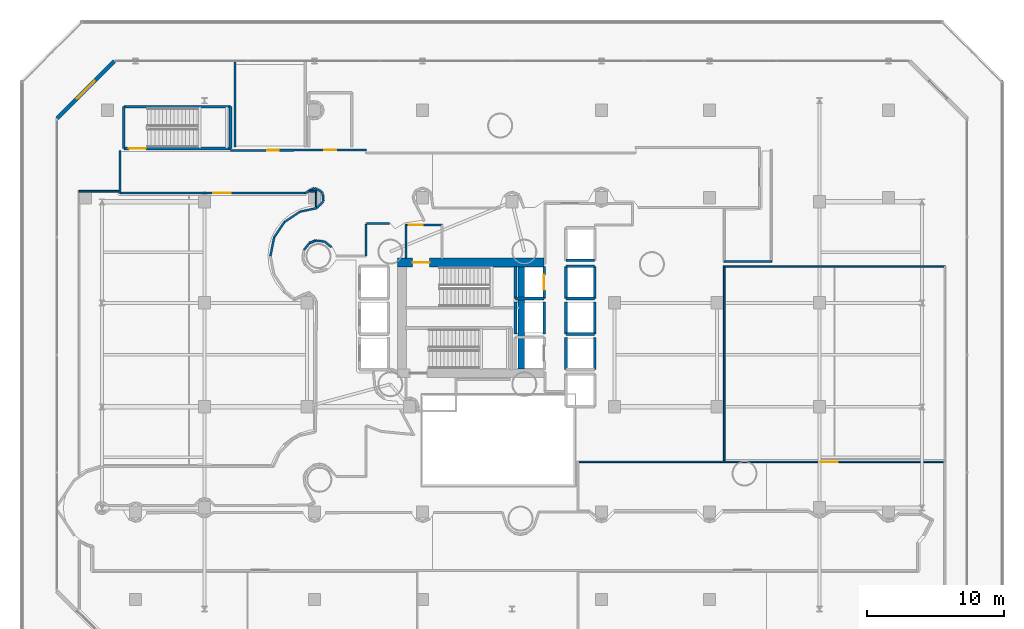
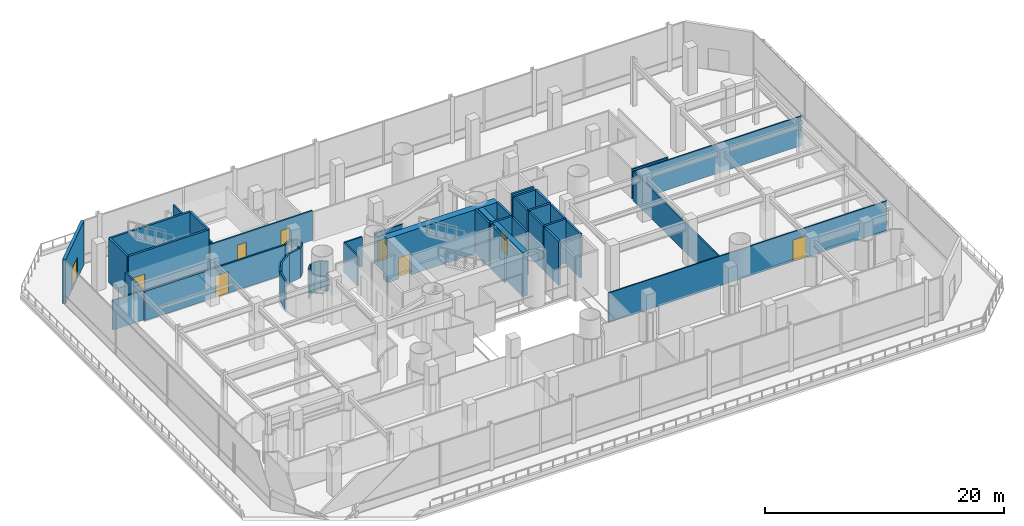
# One storey, part 28 of 39: 49 walls, 9 doors, 9 openings.
"""IFC4 building model written with IfcOpenShell, lengths in metres."""

from ifc_helpers import new_model, si_unit, direction, frame, frame_2d, origin, place, context, subcontext, project, spatial, rectangle, extrude, material, layer, layer_set, type_object, element, fill, save


model = new_model("IFC4")

# Units and contexts
model_context = context("Model", 3, precision=1e-05, world=origin(), true_north=direction((0.0, 1.0)))
body_context = subcontext(model_context, "Body", "Model", "MODEL_VIEW")
ifc_project = project(units=[si_unit("LENGTHUNIT", "METRE"), si_unit("AREAUNIT", "SQUARE_METRE"), si_unit("VOLUMEUNIT", "CUBIC_METRE"), si_unit("PLANEANGLEUNIT", "RADIAN"), si_unit("MASSUNIT", "GRAM", prefix="KILO")], contexts=[model_context])

# Site, building, storey
site_placement = place(None, origin())
site = spatial("IfcSite", under=ifc_project, at=site_placement, CompositionType="ELEMENT")
building_placement = place(site_placement, origin())
building = spatial("IfcBuilding", under=site, at=building_placement, Name="Qianvela Tower", CompositionType="ELEMENT")
storey_placement = place(building_placement, frame((0.0, 0.0, 15.800048828125)))
storey = spatial("IfcBuildingStorey", under=building, at=storey_placement, Name="L03", CompositionType="ELEMENT", Elevation=15.800048828125)

# Wall, opening, door
ifc_material_1 = material(Name="Terracotta Cladding on Concrete C40", Category="masonry")
ifc_layer_1 = layer(ifc_material_1, 0.280029296875)
ifc_layer_set_1 = layer_set([ifc_layer_1], Name="Terracotta Cladding on Concrete C40")
wall_type_1 = type_object("IfcWallType", Name="TERRACOTTA-WALL-280", PredefinedType="SOLIDWALL", material=ifc_layer_set_1)
wall_1_placement = place(storey_placement, frame((8.39990234375, 47.5, 0.0), z_axis=(0.0, 0.0, 1.0), x_axis=(-0.707106781187, -0.707106781187, 0.0)))
wall_1 = element("IfcWall", 1, at=wall_1_placement, inside=storey, type_object=wall_type_1, Name="L03 Terracotta Corner Wall 6", PredefinedType="SOLIDWALL", context=body_context, shape_type="SweptSolid", body=[
    extrude(rectangle(XDim=5.939697265625, YDim=0.280029296875, at=frame_2d((2.9697265625, 0.0))), origin(), (0.0, 0.0, 1.0), 4.5),
])
opening_1_placement = place(wall_1_placement, frame((2.06982421875, 0.0, 0.0)))
opening_1 = element("IfcOpeningElement", 2, at=opening_1_placement, cuts=wall_1, Name="Opening ED-02", PredefinedType="OPENING", context=body_context, shape_type="SweptSolid", body=[
    extrude(rectangle(XDim=1.800048828125, YDim=2.199951171875, at=frame_2d((0.89990234375, 1.10009765625))), frame((0.0, 0.14990234375, 0.0), z_axis=(0.0, -1.0, 0.0), x_axis=(1.0, 0.0, 0.0)), (0.0, 0.0, 1.0), 0.300048828125),
])
ifc_material_2 = material(Name="Thermally Broken Anodised Aluminium and Low-E Glass", Category="aluminium")
door_type_1 = type_object("IfcDoorType", Name="DT-EXT-TERR-1800", OperationType="DOUBLE_DOOR_SINGLE_SWING", PredefinedType="DOOR", material=ifc_material_2)
door_1_placement = place(opening_1_placement, origin())
door_1 = element("IfcDoor", 3, at=door_1_placement, inside=storey, type_object=door_type_1, Name="L03 Terrace Access Door 6", OperationType="DOUBLE_DOOR_SINGLE_SWING", OverallHeight=2.199951171875, OverallWidth=1.800048828125, PredefinedType="DOOR", context=body_context, shape_type="SweptSolid", body=[
    extrude(rectangle(XDim=1.800048828125, YDim=2.199951171875, at=frame_2d((0.89990234375, 1.10009765625))), frame((0.0, 0.02490234375, 0.0), z_axis=(0.0, -1.0, 0.0), x_axis=(1.0, 0.0, 0.0)), (0.0, 0.0, 1.0), 0.050048828125),
])
fill(opening_1, door_1)

ifc_material_3 = material(Name="Concrete C60", Category="concrete")
ifc_layer_2 = layer(ifc_material_3, 0.64990234375)
ifc_layer_set_2 = layer_set([ifc_layer_2], Name="Concrete C60")
wall_type_2 = type_object("IfcWallType", Name="WT-CORE-650", PredefinedType="SHEAR", material=ifc_layer_set_2)
wall_2_placement = place(storey_placement, frame((29.1298828125, 32.7451171875, 0.0), z_axis=(0.0, 0.0, 1.0), x_axis=(1.0, 0.0, 0.0)))
wall_2 = element("IfcWall", 4, at=wall_2_placement, inside=storey, type_object=wall_type_2, Name="L03 North Core Shear Wall", PredefinedType="SHEAR", context=body_context, shape_type="SweptSolid", body=[
    extrude(rectangle(XDim=10.72021484375, YDim=0.64990234375, at=frame_2d((5.360107421875, 0.0))), origin(), (0.0, 0.0, 1.0), 4.5),
])
opening_2_placement = place(wall_2_placement, frame((1.094970703125, 0.0, 0.0)))
opening_2 = element("IfcOpeningElement", 5, at=opening_2_placement, cuts=wall_2, Name="Opening D-ST1", PredefinedType="OPENING", context=body_context, shape_type="SweptSolid", body=[
    extrude(rectangle(XDim=1.25, YDim=2.14990234375, at=frame_2d((0.625, 1.074951171875))), frame((0.0, 0.3349609375, 0.0), z_axis=(0.0, -1.0, 0.0), x_axis=(1.0, 0.0, 0.0)), (0.0, 0.0, 1.0), 0.669921875),
])
ifc_material_4 = material(Name="Galvanised Fire Steel Q355B", Category="steel")
door_type_2 = type_object("IfcDoorType", Name="DT-STAIR-FD90", OperationType="NOTDEFINED", PredefinedType="DOOR", material=ifc_material_4)
door_2_placement = place(opening_2_placement, origin())
door_2 = element("IfcDoor", 6, at=door_2_placement, inside=storey, type_object=door_type_2, Name="L03 Stair ST-1 Exit Door", OperationType="SINGLE_SWING_RIGHT", OverallHeight=2.14990234375, OverallWidth=1.25, PredefinedType="DOOR", context=body_context, shape_type="SweptSolid", body=[
    extrude(rectangle(XDim=1.25, YDim=2.14990234375, at=frame_2d((0.625, 1.074951171875))), frame((0.0, 0.02490234375, 0.0), z_axis=(0.0, -1.0, 0.0), x_axis=(1.0, 0.0, 0.0)), (0.0, 0.0, 1.0), 0.050048828125),
])
fill(opening_2, door_2)

# Walls
wall_3_placement = place(storey_placement, frame((38.179931640625, 24.97998046875, 0.0), z_axis=(0.0, 0.0, 1.0), x_axis=(0.0, 1.0, 0.0)))
element("IfcWall", 7, at=wall_3_placement, inside=storey, type_object=wall_type_2, Name="L03 East Spine Core Shear Wall", PredefinedType="SHEAR", context=body_context, shape_type="SweptSolid", body=[
    extrude(rectangle(XDim=7.43994140625, YDim=0.5, at=frame_2d((3.719970703125, 0.0))), origin(), (0.0, 0.0, 1.0), 4.5),
])
ifc_material_5 = material(Name="Fire-Rated Acoustic Gypsum Board")
ifc_layer_3 = layer(ifc_material_5, 0.14990234375)
ifc_layer_set_3 = layer_set([ifc_layer_3], Name="Fire-Rated Acoustic Gypsum Board")
wall_type_3 = type_object("IfcWallType", Name="WT-CORR-150", PredefinedType="PARTITIONING", material=ifc_layer_set_3)
wall_4_placement = place(storey_placement, frame((29.73095703125, 33.05810546875, 0.0), z_axis=(0.0, 0.0, 1.0), x_axis=(0.0, 1.0, 0.0)))
element("IfcWall", 8, at=wall_4_placement, inside=storey, type_object=wall_type_3, Name="L03 Partition 2", PredefinedType="PARTITIONING", context=body_context, shape_type="SweptSolid", body=[
    extrude(rectangle(XDim=2.4619140625, YDim=0.14990234375, at=frame_2d((1.23095703125, 0.0))), origin(), (0.0, 0.0, 1.0), 3.02001953125),
])

# Wall, opening, door
wall_5_placement = place(storey_placement, frame((29.699951171875, 35.489013671875, 0.0), z_axis=(0.0, 0.0, 1.0), x_axis=(1.0, 0.0, 0.0)))
wall_5 = element("IfcWall", 9, at=wall_5_placement, inside=storey, type_object=wall_type_3, Name="L03 Partition 3", PredefinedType="PARTITIONING", context=body_context, shape_type="SweptSolid", body=[
    extrude(rectangle(XDim=2.719970703125, YDim=0.14990234375, at=frame_2d((1.35986328125, 0.0))), origin(), (0.0, 0.0, 1.0), 3.02001953125),
])
opening_3_placement = place(wall_5_placement, frame((0.22998046875, 0.0, 0.0)))
opening_3 = element("IfcOpeningElement", 10, at=opening_3_placement, cuts=wall_5, Name="Opening D-PL1", PredefinedType="OPENING", context=body_context, shape_type="SweptSolid", body=[
    extrude(rectangle(XDim=1.050048828125, YDim=2.14990234375, at=frame_2d((0.52490234375, 1.074951171875))), frame((0.0, 0.0849609375, 0.0), z_axis=(0.0, -1.0, 0.0), x_axis=(1.0, 0.0, 0.0)), (0.0, 0.0, 1.0), 0.169921875),
])
ifc_material_6 = material(Name="Insulated Steel Fire Door Q355B", Category="steel")
door_type_3 = type_object("IfcDoorType", Name="DT-PLANT-FD90", OperationType="NOTDEFINED", PredefinedType="DOOR", material=ifc_material_6)
door_3_placement = place(opening_3_placement, origin())
door_3 = element("IfcDoor", 11, at=door_3_placement, inside=storey, type_object=door_type_3, Name="L03 Door L03 Firefighting Lobby North to L03 Concourse Gallery Corridor", OperationType="SINGLE_SWING_RIGHT", OverallHeight=2.14990234375, OverallWidth=1.050048828125, PredefinedType="DOOR", context=body_context, shape_type="SweptSolid", body=[
    extrude(rectangle(XDim=1.050048828125, YDim=2.14990234375, at=frame_2d((0.52490234375, 1.074951171875))), frame((0.0, 0.02490234375, 0.0), z_axis=(0.0, -1.0, 0.0), x_axis=(1.0, 0.0, 0.0)), (0.0, 0.0, 1.0), 0.050048828125),
])
fill(opening_3, door_3)

# Walls
wall_6_placement = place(storey_placement, frame((19.818359375, 33.221923828125, 0.0), z_axis=(0.0, 0.0, 1.0), x_axis=(0.195099252282, 0.980783504021, 0.0)))
element("IfcWall", 12, at=wall_6_placement, inside=storey, type_object=wall_type_3, Name="L03 Partition 105", PredefinedType="PARTITIONING", context=body_context, shape_type="SweptSolid", body=[
    extrude(rectangle(XDim=1.38525390625, YDim=0.14990234375, at=frame_2d((0.692626953125, 0.0))), origin(), (0.0, 0.0, 1.0), 3.02001953125),
])
for number, where, z_axis, x_axis, name in (
    (13, (20.083984375, 34.5693359375, 0.0), (0.0, 0.0, 1.0), (0.555594771308, 0.831453215819, 0.0), "L03 Partition 106"),
    (14, (20.844970703125, 35.71240234375, 0.0), (0.0, 0.0, 1.0), (0.831453215819, 0.555594771308, 0.0), "L03 Partition 107"),
):
    element("IfcWall", number, at=place(storey_placement, frame(where, z_axis=z_axis, x_axis=x_axis)), inside=storey, type_object=wall_type_3, Name=name, PredefinedType="PARTITIONING", context=body_context, shape_type="SweptSolid", body=[
        extrude(rectangle(XDim=1.385009765625, YDim=0.14990234375, at=frame_2d((0.6923828125, 0.0))), origin(), (0.0, 0.0, 1.0), 3.02001953125),
    ])
wall_7_placement = place(storey_placement, frame((21.98583984375, 36.477294921875, 0.0), z_axis=(0.0, 0.0, 1.0), x_axis=(0.978580947187, 0.205862405023, 0.0)))
element("IfcWall", 15, at=wall_7_placement, inside=storey, type_object=wall_type_3, Name="L03 Partition 108", PredefinedType="PARTITIONING", context=body_context, shape_type="SweptSolid", body=[
    extrude(rectangle(XDim=1.246337890625, YDim=0.14990234375, at=frame_2d((0.623046875, 0.0))), origin(), (0.0, 0.0, 1.0), 3.02001953125),
])
wall_8_placement = place(storey_placement, frame((23.221435546875, 36.742919921875, 0.0), z_axis=(0.0, 0.0, 1.0), x_axis=(0.696042953303, 0.718000144259, 0.0)))
element("IfcWall", 16, at=wall_8_placement, inside=storey, type_object=wall_type_3, Name="L03 Partition 109", PredefinedType="PARTITIONING", context=body_context, shape_type="SweptSolid", body=[
    extrude(rectangle(XDim=0.667236328125, YDim=0.14990234375, at=frame_2d((0.33349609375, 0.0))), origin(), (0.0, 0.0, 1.0), 3.02001953125),
])
for number, where, z_axis, x_axis, name in (
    (17, (23.694580078125, 37.24658203125, 0.0), (0.0, 0.0, 1.0), (-0.098164363006, 0.995170215509, 0.0), "L03 Partition 110"),
    (18, (23.6162109375, 37.899658203125, 0.0), (0.0, 0.0, 1.0), (-0.882042462076, 0.471169921679, 0.0), "L03 Partition 111"),
):
    element("IfcWall", number, at=place(storey_placement, frame(where, z_axis=z_axis, x_axis=x_axis)), inside=storey, type_object=wall_type_3, Name=name, PredefinedType="PARTITIONING", context=body_context, shape_type="SweptSolid", body=[
        extrude(rectangle(XDim=0.631591796875, YDim=0.14990234375, at=frame_2d((0.31591796875, 0.0))), origin(), (0.0, 0.0, 1.0), 3.02001953125),
    ])
wall_9_placement = place(storey_placement, frame((23.02978515625, 38.197265625, 0.0), z_axis=(0.0, 0.0, 1.0), x_axis=(-0.880007613405, -0.474959577595, 0.0)))
element("IfcWall", 19, at=wall_9_placement, inside=storey, type_object=wall_type_3, Name="L03 Partition 112", PredefinedType="PARTITIONING", context=body_context, shape_type="SweptSolid", body=[
    extrude(rectangle(XDim=0.77880859375, YDim=0.14990234375, at=frame_2d((0.389404296875, 0.0))), origin(), (0.0, 0.0, 1.0), 3.02001953125),
])

# Wall, opening, door
wall_10_placement = place(storey_placement, frame((22.359130859375, 37.8310546875, 0.0), z_axis=(0.0, 0.0, 1.0), x_axis=(-1.0, 0.0, 0.0)))
wall_10 = element("IfcWall", 20, at=wall_10_placement, inside=storey, type_object=wall_type_3, Name="L03 Partition 113", PredefinedType="PARTITIONING", context=body_context, shape_type="SweptSolid", body=[
    extrude(rectangle(XDim=13.55908203125, YDim=0.14990234375, at=frame_2d((6.779541015625, 0.0))), origin(), (0.0, 0.0, 1.0), 3.02001953125),
])
opening_4_placement = place(wall_10_placement, frame((5.45458984375, 0.0, 0.0)))
opening_4 = element("IfcOpeningElement", 21, at=opening_4_placement, cuts=wall_10, Name="Opening D-LG1", PredefinedType="OPENING", context=body_context, shape_type="SweptSolid", body=[
    extrude(rectangle(XDim=1.25, YDim=2.199951171875, at=frame_2d((0.625, 1.10009765625))), frame((0.0, 0.0849609375, 0.0), z_axis=(0.0, -1.0, 0.0), x_axis=(1.0, 0.0, 0.0)), (0.0, 0.0, 1.0), 0.169921875),
])
ifc_material_7 = material(Name="Anodised Aluminium Acoustic Glass Door", Category="aluminium")
door_type_4 = type_object("IfcDoorType", Name="DT-LOUNGE-1250", OperationType="NOTDEFINED", PredefinedType="DOOR", material=ifc_material_7)
door_4_placement = place(opening_4_placement, origin())
door_4 = element("IfcDoor", 22, at=door_4_placement, inside=storey, type_object=door_type_4, Name="L03 Door L03 Student Tea Pantry and Study Lounge to L03 Concourse Gallery Corridor", OperationType="SINGLE_SWING_RIGHT", OverallHeight=2.199951171875, OverallWidth=1.25, PredefinedType="DOOR", context=body_context, shape_type="SweptSolid", body=[
    extrude(rectangle(XDim=1.25, YDim=2.199951171875, at=frame_2d((0.625, 1.10009765625))), frame((0.0, 0.02490234375, 0.0), z_axis=(0.0, -1.0, 0.0), x_axis=(1.0, 0.0, 0.0)), (0.0, 0.0, 1.0), 0.050048828125),
])
fill(opening_4, door_4)

# Wall
wall_11_placement = place(storey_placement, frame((8.8310546875, 37.800048828125, 0.0), z_axis=(0.0, 0.0, 1.0), x_axis=(0.0, 1.0, 0.0)))
element("IfcWall", 23, at=wall_11_placement, inside=storey, type_object=wall_type_3, Name="L03 Partition 114", PredefinedType="PARTITIONING", context=body_context, shape_type="SweptSolid", body=[
    extrude(rectangle(XDim=3.159912109375, YDim=0.14990234375, at=frame_2d((1.580078125, 0.0))), origin(), (0.0, 0.0, 1.0), 3.02001953125),
])

# Wall, openings, doors
wall_12_placement = place(storey_placement, frame((16.89990234375, 40.955810546875, 0.0), z_axis=(0.0, 0.0, 1.0), x_axis=(0.999994432489, 0.003336913407, 0.0)))
wall_12 = element("IfcWall", 24, at=wall_12_placement, inside=storey, type_object=wall_type_3, Name="L03 Partition 115 seg 2", PredefinedType="PARTITIONING", context=body_context, shape_type="SweptSolid", body=[
    extrude(rectangle(XDim=9.9501953125, YDim=0.14990234375, at=frame_2d((4.97509765625, 0.0))), origin(), (0.0, 0.0, 1.0), 3.02001953125),
])
opening_5_placement = place(wall_12_placement, frame((6.87255859375, 0.0, 0.0)))
opening_5 = element("IfcOpeningElement", 25, at=opening_5_placement, cuts=wall_12, Name="Opening D-WC1", PredefinedType="OPENING", context=body_context, shape_type="SweptSolid", body=[
    extrude(rectangle(XDim=0.860107421875, YDim=2.050048828125, at=frame_2d((0.43017578125, 1.02490234375))), frame((0.0, 0.0849609375, 0.0), z_axis=(0.0, -1.0, 0.0), x_axis=(1.0, 0.0, 0.0)), (0.0, 0.0, 1.0), 0.169921875),
])
opening_6_placement = place(wall_12_placement, frame((2.677734375, 0.0, 0.0)))
opening_6 = element("IfcOpeningElement", 26, at=opening_6_placement, cuts=wall_12, Name="Opening D-WC1", PredefinedType="OPENING", context=body_context, shape_type="SweptSolid", body=[
    extrude(rectangle(XDim=0.860107421875, YDim=2.050048828125, at=frame_2d((0.43017578125, 1.02490234375))), frame((0.0, 0.0849609375, 0.0), z_axis=(0.0, -1.0, 0.0), x_axis=(1.0, 0.0, 0.0)), (0.0, 0.0, 1.0), 0.169921875),
])
ifc_material_8 = material(Name="Moisture-Sealed Acoustic Timber Door", Category="wood")
door_type_5 = type_object("IfcDoorType", Name="DT-WC-860", OperationType="NOTDEFINED", PredefinedType="DOOR", material=ifc_material_8)
door_5_placement = place(opening_5_placement, origin())
door_5 = element("IfcDoor", 27, at=door_5_placement, inside=storey, type_object=door_type_5, Name="L03 Door L03 Accessible WC to L03 Concourse Gallery Corridor", OperationType="SINGLE_SWING_LEFT", OverallHeight=2.050048828125, OverallWidth=0.860107421875, PredefinedType="DOOR", context=body_context, shape_type="SweptSolid", body=[
    extrude(rectangle(XDim=0.860107421875, YDim=2.050048828125, at=frame_2d((0.43017578125, 1.02490234375))), frame((0.0, 0.02490234375, 0.0), z_axis=(0.0, -1.0, 0.0), x_axis=(1.0, 0.0, 0.0)), (0.0, 0.0, 1.0), 0.050048828125),
])
fill(opening_5, door_5)
door_6_placement = place(opening_6_placement, origin())
door_6 = element("IfcDoor", 28, at=door_6_placement, inside=storey, type_object=door_type_5, Name="L03 Door L03 Public Washrooms to L03 Concourse Gallery Corridor", OperationType="SINGLE_SWING_LEFT", OverallHeight=2.050048828125, OverallWidth=0.860107421875, PredefinedType="DOOR", context=body_context, shape_type="SweptSolid", body=[
    extrude(rectangle(XDim=0.860107421875, YDim=2.050048828125, at=frame_2d((0.43017578125, 1.02490234375))), frame((0.0, 0.02490234375, 0.0), z_axis=(0.0, -1.0, 0.0), x_axis=(1.0, 0.0, 0.0)), (0.0, 0.0, 1.0), 0.050048828125),
])
fill(opening_6, door_6)

# Walls
wall_13_placement = place(storey_placement, frame((28.5400390625, 35.611083984375, 0.0), z_axis=(0.0, 0.0, 1.0), x_axis=(-1.0, 0.0, 0.0)))
element("IfcWall", 29, at=wall_13_placement, inside=storey, type_object=wall_type_3, Name="L03 Partition 140", PredefinedType="PARTITIONING", context=body_context, shape_type="SweptSolid", body=[
    extrude(rectangle(XDim=1.68994140625, YDim=0.14990234375, at=frame_2d((0.844970703125, 0.0))), origin(), (0.0, 0.0, 1.0), 3.02001953125),
])
wall_14_placement = place(storey_placement, frame((26.819091796875, 35.580078125, 0.0), z_axis=(0.0, 0.0, 1.0), x_axis=(0.0, -1.0, 0.0)))
element("IfcWall", 30, at=wall_14_placement, inside=storey, type_object=wall_type_3, Name="L03 Partition 141", PredefinedType="PARTITIONING", context=body_context, shape_type="SweptSolid", body=[
    extrude(rectangle(XDim=2.362548828125, YDim=0.14990234375, at=frame_2d((1.18115234375, 0.0))), origin(), (0.0, 0.0, 1.0), 3.02001953125),
])
wall_15_placement = place(storey_placement, frame((24.288818359375, 33.874267578125, 0.0), z_axis=(0.0, 0.0, 1.0), x_axis=(-0.773002523958, 0.634402946048, 0.0)))
element("IfcWall", 31, at=wall_15_placement, inside=storey, type_object=wall_type_3, Name="L03 Partition 144", PredefinedType="PARTITIONING", context=body_context, shape_type="SweptSolid", body=[
    extrude(rectangle(XDim=0.64990234375, YDim=0.14990234375, at=frame_2d((0.324951171875, 0.0))), origin(), (0.0, 0.0, 1.0), 3.02001953125),
])
wall_16_placement = place(storey_placement, frame((23.76953125, 34.293701171875, 0.0), z_axis=(0.0, 0.0, 1.0), x_axis=(-0.995184807955, 0.098016315048, 0.0)))
element("IfcWall", 32, at=wall_16_placement, inside=storey, type_object=wall_type_3, Name="L03 Partition 145", PredefinedType="PARTITIONING", context=body_context, shape_type="SweptSolid", body=[
    extrude(rectangle(XDim=0.650146484375, YDim=0.14990234375, at=frame_2d((0.3251953125, 0.0))), origin(), (0.0, 0.0, 1.0), 3.02001953125),
])
wall_17_placement = place(storey_placement, frame((23.107666015625, 34.35498046875, 0.0), z_axis=(0.0, 0.0, 1.0), x_axis=(-0.924098490076, -0.382154393719, 0.0)))
element("IfcWall", 33, at=wall_17_placement, inside=storey, type_object=wall_type_3, Name="L03 Partition 146", PredefinedType="PARTITIONING", context=body_context, shape_type="SweptSolid", body=[
    extrude(rectangle(XDim=0.43701171875, YDim=0.14990234375, at=frame_2d((0.218505859375, 0.0))), origin(), (0.0, 0.0, 1.0), 3.02001953125),
])
wall_18_placement = place(storey_placement, frame((22.69189453125, 34.178955078125, 0.0), z_axis=(0.0, 0.0, 1.0), x_axis=(-0.634443165816, -0.772969513855, 0.0)))
element("IfcWall", 34, at=wall_18_placement, inside=storey, type_object=wall_type_3, Name="L03 Partition 147", PredefinedType="PARTITIONING", context=body_context, shape_type="SweptSolid", body=[
    extrude(rectangle(XDim=0.650390625, YDim=0.14990234375, at=frame_2d((0.3251953125, 0.0))), origin(), (0.0, 0.0, 1.0), 3.02001953125),
])

# Wall, opening, door
ifc_material_9 = material(Name="Insulated Gypsum Stud Partition")
ifc_layer_4 = layer(ifc_material_9, 0.1201171875)
ifc_layer_set_4 = layer_set([ifc_layer_4], Name="Insulated Gypsum Stud Partition")
wall_type_4 = type_object("IfcWallType", Name="WT-PART-120", PredefinedType="PARTITIONING", material=ifc_layer_set_4)
wall_19_placement = place(storey_placement, frame((42.300048828125, 18.1689453125, 0.0), z_axis=(0.0, 0.0, 1.0), x_axis=(1.0, 0.0, 0.0)))
wall_19 = element("IfcWall", 35, at=wall_19_placement, inside=storey, type_object=wall_type_4, Name="L03 Partition 225", PredefinedType="PARTITIONING", context=body_context, shape_type="SweptSolid", body=[
    extrude(rectangle(XDim=26.89990234375, YDim=0.1201171875, at=frame_2d((13.449951171875, 0.0))), origin(), (0.0, 0.0, 1.0), 3.02001953125),
])
opening_7_placement = place(wall_19_placement, frame((17.80322265625, 0.0, 0.0)))
opening_7 = element("IfcOpeningElement", 36, at=opening_7_placement, cuts=wall_19, Name="Opening D-LG1", PredefinedType="OPENING", context=body_context, shape_type="SweptSolid", body=[
    extrude(rectangle(XDim=1.25, YDim=2.199951171875, at=frame_2d((0.625, 1.10009765625))), frame((0.0, 0.070068359375, 0.0), z_axis=(0.0, -1.0, 0.0), x_axis=(1.0, 0.0, 0.0)), (0.0, 0.0, 1.0), 0.14013671875),
])
door_7_placement = place(opening_7_placement, origin())
door_7 = element("IfcDoor", 37, at=door_7_placement, inside=storey, type_object=door_type_4, Name="L03 Door L03 Open-Stack Reference Library to L03 Maker Craft Workshop", OperationType="SINGLE_SWING_RIGHT", OverallHeight=2.199951171875, OverallWidth=1.25, PredefinedType="DOOR", context=body_context, shape_type="SweptSolid", body=[
    extrude(rectangle(XDim=1.25, YDim=2.199951171875, at=frame_2d((0.625, 1.10009765625))), frame((0.0, 0.02490234375, 0.0), z_axis=(0.0, -1.0, 0.0), x_axis=(1.0, 0.0, 0.0)), (0.0, 0.0, 1.0), 0.050048828125),
])
fill(opening_7, door_7)

# Walls
wall_20_placement = place(storey_placement, frame((53.0, 32.468994140625, 0.0), z_axis=(0.0, 0.0, 1.0), x_axis=(1.0, 0.0, 0.0)))
element("IfcWall", 38, at=wall_20_placement, inside=storey, type_object=wall_type_4, Name="L03 Partition 228", PredefinedType="PARTITIONING", context=body_context, shape_type="SweptSolid", body=[
    extrude(rectangle(XDim=16.199951171875, YDim=0.1201171875, at=frame_2d((8.10009765625, 0.0))), origin(), (0.0, 0.0, 1.0), 3.02001953125),
])
wall_21_placement = place(storey_placement, frame((23.1689453125, 38.0, 0.0), z_axis=(0.0, 0.0, 1.0), x_axis=(0.0, -1.0, 0.0)))
element("IfcWall", 39, at=wall_21_placement, inside=storey, type_object=wall_type_4, Name="L03 Partition 255", PredefinedType="PARTITIONING", context=body_context, shape_type="SweptSolid", body=[
    extrude(rectangle(XDim=1.15478515625, YDim=0.1201171875, at=frame_2d((0.577392578125, 0.0))), origin(), (0.0, 0.0, 1.0), 3.02001953125),
])
ifc_material_10 = material(Name="Sanitary Service Chase Partition")
ifc_layer_5 = layer(ifc_material_10, 0.1650390625)
ifc_layer_set_5 = layer_set([ifc_layer_5], Name="Sanitary Service Chase Partition")
wall_type_5 = type_object("IfcWallType", Name="WT-PLUMB-165", PredefinedType="PLUMBINGWALL", material=ifc_layer_set_5)
wall_22_placement = place(storey_placement, frame((17.23095703125, 41.199951171875, 0.0), z_axis=(0.0, 0.0, 1.0), x_axis=(0.0, 1.0, 0.0)))
element("IfcWall", 40, at=wall_22_placement, inside=storey, type_object=wall_type_5, Name="L03 Partition 259", PredefinedType="PLUMBINGWALL", context=body_context, shape_type="SweptSolid", body=[
    extrude(rectangle(XDim=6.320068359375, YDim=0.1650390625, at=frame_2d((3.16015625, 0.0))), origin(), (0.0, 0.0, 1.0), 3.02001953125),
])
ifc_material_11 = material(Name="Acoustic Double Gypsum Stud Partition")
ifc_layer_6 = layer(ifc_material_11, 0.139892578125)
ifc_layer_set_6 = layer_set([ifc_layer_6], Name="Acoustic Double Gypsum Stud Partition")
wall_type_6 = type_object("IfcWallType", Name="WT-ROOM-140", PredefinedType="PARTITIONING", material=ifc_layer_set_6)
wall_23_placement = place(storey_placement, frame((53.031005859375, 18.261962890625, 0.0), z_axis=(0.0, 0.0, 1.0), x_axis=(0.0, 1.0, 0.0)))
element("IfcWall", 41, at=wall_23_placement, inside=storey, type_object=wall_type_6, Name="L03 Partition 227", PredefinedType="PARTITIONING", context=body_context, shape_type="SweptSolid", body=[
    extrude(rectangle(XDim=14.238037109375, YDim=0.139892578125, at=frame_2d((7.119140625, 0.0))), origin(), (0.0, 0.0, 1.0), 3.02001953125),
])
wall_24_placement = place(storey_placement, frame((56.5, 32.8310546875, 0.0), z_axis=(0.0, 0.0, 1.0), x_axis=(-1.0, 0.0, 0.0)))
element("IfcWall", 42, at=wall_24_placement, inside=storey, type_object=wall_type_6, Name="L03 Partition 230", PredefinedType="PARTITIONING", context=body_context, shape_type="SweptSolid", body=[
    extrude(rectangle(XDim=3.5, YDim=0.139892578125, at=frame_2d((1.75, 0.0))), origin(), (0.0, 0.0, 1.0), 3.02001953125),
])
wall_25_placement = place(storey_placement, frame((5.800048828125, 37.968994140625, 0.0), z_axis=(0.0, 0.0, 1.0), x_axis=(1.0, 0.0, 0.0)))
element("IfcWall", 43, at=wall_25_placement, inside=storey, type_object=wall_type_6, Name="L03 Partition 251 seg 1", PredefinedType="PARTITIONING", context=body_context, shape_type="SweptSolid", body=[
    extrude(rectangle(XDim=2.93798828125, YDim=0.139892578125, at=frame_2d((1.468994140625, 0.0))), origin(), (0.0, 0.0, 1.0), 3.02001953125),
])
wall_26_placement = place(storey_placement, frame((22.700439453125, 37.968994140625, 0.0), z_axis=(0.0, 0.0, 1.0), x_axis=(1.0, 0.0, 0.0)))
element("IfcWall", 44, at=wall_26_placement, inside=storey, type_object=wall_type_6, Name="L03 Partition 254", PredefinedType="PARTITIONING", context=body_context, shape_type="SweptSolid", body=[
    extrude(rectangle(XDim=0.49951171875, YDim=0.139892578125, at=frame_2d((0.249755859375, 0.0))), origin(), (0.0, 0.0, 1.0), 3.02001953125),
])

# Wall, opening, door
ifc_material_12 = material(Name="Concrete C50", Category="concrete")
ifc_layer_7 = layer(ifc_material_12, 0.199951171875)
ifc_layer_set_7 = layer_set([ifc_layer_7], Name="Concrete C50")
wall_type_7 = type_object("IfcWallType", Name="WT-SHAFT-200", PredefinedType="SOLIDWALL", material=ifc_layer_set_7)
wall_27_placement = place(storey_placement, frame((9.10009765625, 41.10009765625, 0.0), z_axis=(0.0, 0.0, 1.0), x_axis=(1.0, 0.0, 0.0)))
wall_27 = element("IfcWall", 45, at=wall_27_placement, inside=storey, type_object=wall_type_7, Name="L03 Stair ST-3 South Wall", PredefinedType="SOLIDWALL", context=body_context, shape_type="SweptSolid", body=[
    extrude(rectangle(XDim=7.7998046875, YDim=0.199951171875, at=frame_2d((3.89990234375, 0.0))), origin(), (0.0, 0.0, 1.0), 4.5),
])
opening_8_placement = place(wall_27_placement, frame((0.360107421875, 0.0, 0.0)))
opening_8 = element("IfcOpeningElement", 46, at=opening_8_placement, cuts=wall_27, Name="Opening D-ST1", PredefinedType="OPENING", context=body_context, shape_type="SweptSolid", body=[
    extrude(rectangle(XDim=1.25, YDim=2.14990234375, at=frame_2d((0.625, 1.074951171875))), frame((0.0, 0.10986328125, 0.0), z_axis=(0.0, -1.0, 0.0), x_axis=(1.0, 0.0, 0.0)), (0.0, 0.0, 1.0), 0.219970703125),
])
door_8_placement = place(opening_8_placement, origin())
door_8 = element("IfcDoor", 47, at=door_8_placement, inside=storey, type_object=door_type_2, Name="L03 Stair ST-3 Exit Door", OperationType="SINGLE_SWING_RIGHT", OverallHeight=2.14990234375, OverallWidth=1.25, PredefinedType="DOOR", context=body_context, shape_type="SweptSolid", body=[
    extrude(rectangle(XDim=1.25, YDim=2.14990234375, at=frame_2d((0.625, 1.074951171875))), frame((0.0, 0.02490234375, 0.0), z_axis=(0.0, -1.0, 0.0), x_axis=(1.0, 0.0, 0.0)), (0.0, 0.0, 1.0), 0.050048828125),
])
fill(opening_8, door_8)

# Walls
wall_28_placement = place(storey_placement, frame((9.10009765625, 44.159912109375, 0.0), z_axis=(0.0, 0.0, 1.0), x_axis=(1.0, 0.0, 0.0)))
element("IfcWall", 48, at=wall_28_placement, inside=storey, type_object=wall_type_7, Name="L03 Stair ST-3 North Wall", PredefinedType="SOLIDWALL", context=body_context, shape_type="SweptSolid", body=[
    extrude(rectangle(XDim=7.7998046875, YDim=0.199951171875, at=frame_2d((3.89990234375, 0.0))), origin(), (0.0, 0.0, 1.0), 4.5),
])
for number, where, z_axis, x_axis, name in (
    (49, (9.10009765625, 41.10009765625, 0.0), (0.0, 0.0, 1.0), (0.0, 1.0, 0.0), "L03 Stair ST-3 West Wall"),
    (50, (16.89990234375, 41.10009765625, 0.0), (0.0, 0.0, 1.0), (0.0, 1.0, 0.0), "L03 Stair ST-3 East Wall"),
):
    element("IfcWall", number, at=place(storey_placement, frame(where, z_axis=z_axis, x_axis=x_axis)), inside=storey, type_object=wall_type_7, Name=name, PredefinedType="SOLIDWALL", context=body_context, shape_type="SweptSolid", body=[
        extrude(rectangle(XDim=3.059814453125, YDim=0.199951171875, at=frame_2d((1.52978515625, 0.0))), origin(), (0.0, 0.0, 1.0), 4.5),
    ])

# Wall, opening, door
wall_29_placement = place(storey_placement, frame((39.85009765625, 30.1201171875, 0.0), z_axis=(0.0, 0.0, 1.0), x_axis=(0.0, 1.0, 0.0)))
wall_29 = element("IfcWall", 51, at=wall_29_placement, inside=storey, type_object=wall_type_7, Name="L03 Lift FL-1 E Shaft Wall", PredefinedType="SOLIDWALL", context=body_context, shape_type="SweptSolid", body=[
    extrude(rectangle(XDim=2.35986328125, YDim=0.199951171875, at=frame_2d((1.179931640625, 0.0))), origin(), (0.0, 0.0, 1.0), 4.5),
])
opening_9_placement = place(wall_29_placement, frame((0.6298828125, 0.0, 0.0)))
opening_9 = element("IfcOpeningElement", 52, at=opening_9_placement, cuts=wall_29, Name="Opening LD-01", PredefinedType="OPENING", context=body_context, shape_type="SweptSolid", body=[
    extrude(rectangle(XDim=1.10009765625, YDim=2.14990234375, at=frame_2d((0.550048828125, 1.074951171875))), frame((0.0, 0.10986328125, 0.0), z_axis=(0.0, -1.0, 0.0), x_axis=(1.0, 0.0, 0.0)), (0.0, 0.0, 1.0), 0.219970703125),
])
ifc_material_13 = material(Name="Brushed Stainless Steel Lift Landing Door", Category="steel")
door_type_6 = type_object("IfcDoorType", Name="DT-LIFT-SLIDE-1100", OperationType="SLIDING_TO_LEFT", PredefinedType="DOOR", material=ifc_material_13)
door_9_placement = place(opening_9_placement, origin())
door_9 = element("IfcDoor", 53, at=door_9_placement, inside=storey, type_object=door_type_6, Name="L03 Lift FL-1 Sliding Landing Door", OperationType="SLIDING_TO_LEFT", OverallHeight=2.14990234375, OverallWidth=1.10009765625, PredefinedType="DOOR", context=body_context, shape_type="SweptSolid", body=[
    extrude(rectangle(XDim=1.10009765625, YDim=2.14990234375, at=frame_2d((0.550048828125, 1.074951171875))), frame((0.0, 0.02490234375, 0.0), z_axis=(0.0, -1.0, 0.0), x_axis=(1.0, 0.0, 0.0)), (0.0, 0.0, 1.0), 0.050048828125),
])
fill(opening_9, door_9)

# Walls
wall_30_placement = place(storey_placement, frame((37.75, 30.1201171875, 0.0), z_axis=(0.0, 0.0, 1.0), x_axis=(0.0, 1.0, 0.0)))
element("IfcWall", 54, at=wall_30_placement, inside=storey, type_object=wall_type_7, Name="L03 Lift FL-1 W Shaft Wall", PredefinedType="SOLIDWALL", context=body_context, shape_type="SweptSolid", body=[
    extrude(rectangle(XDim=2.35986328125, YDim=0.199951171875, at=frame_2d((1.179931640625, 0.0))), origin(), (0.0, 0.0, 1.0), 4.5),
])
wall_31_placement = place(storey_placement, frame((37.75, 30.1201171875, 0.0), z_axis=(0.0, 0.0, 1.0), x_axis=(1.0, 0.0, 0.0)))
element("IfcWall", 55, at=wall_31_placement, inside=storey, type_object=wall_type_7, Name="L03 Lift FL-1 S Shaft Wall", PredefinedType="SOLIDWALL", context=body_context, shape_type="SweptSolid", body=[
    extrude(rectangle(XDim=2.10009765625, YDim=0.199951171875, at=frame_2d((1.050048828125, 0.0))), origin(), (0.0, 0.0, 1.0), 4.5),
])
for number, where, z_axis, x_axis, name in (
    (56, (43.550048828125, 30.1201171875, 0.0), (0.0, 0.0, 1.0), (0.0, 1.0, 0.0), "L03 Lift PL-M1 E Shaft Wall"),
    (57, (41.449951171875, 30.1201171875, 0.0), (0.0, 0.0, 1.0), (0.0, 1.0, 0.0), "L03 Lift PL-M1 W Shaft Wall"),
):
    element("IfcWall", number, at=place(storey_placement, frame(where, z_axis=z_axis, x_axis=x_axis)), inside=storey, type_object=wall_type_7, Name=name, PredefinedType="SOLIDWALL", context=body_context, shape_type="SweptSolid", body=[
        extrude(rectangle(XDim=2.35986328125, YDim=0.199951171875, at=frame_2d((1.179931640625, 0.0))), origin(), (0.0, 0.0, 1.0), 4.5),
    ])
for number, where, z_axis, x_axis, name in (
    (58, (41.449951171875, 32.47998046875, 0.0), (0.0, 0.0, 1.0), (1.0, 0.0, 0.0), "L03 Lift PL-M1 N Shaft Wall"),
    (59, (41.449951171875, 30.1201171875, 0.0), (0.0, 0.0, 1.0), (1.0, 0.0, 0.0), "L03 Lift PL-M1 S Shaft Wall"),
):
    element("IfcWall", number, at=place(storey_placement, frame(where, z_axis=z_axis, x_axis=x_axis)), inside=storey, type_object=wall_type_7, Name=name, PredefinedType="SOLIDWALL", context=body_context, shape_type="SweptSolid", body=[
        extrude(rectangle(XDim=2.10009765625, YDim=0.199951171875, at=frame_2d((1.050048828125, 0.0))), origin(), (0.0, 0.0, 1.0), 4.5),
    ])
for number, where, z_axis, x_axis, name in (
    (60, (43.550048828125, 27.52001953125, 0.0), (0.0, 0.0, 1.0), (0.0, 1.0, 0.0), "L03 Lift PL-M2 E Shaft Wall"),
    (61, (41.449951171875, 27.52001953125, 0.0), (0.0, 0.0, 1.0), (0.0, 1.0, 0.0), "L03 Lift PL-M2 W Shaft Wall"),
):
    element("IfcWall", number, at=place(storey_placement, frame(where, z_axis=z_axis, x_axis=x_axis)), inside=storey, type_object=wall_type_7, Name=name, PredefinedType="SOLIDWALL", context=body_context, shape_type="SweptSolid", body=[
        extrude(rectangle(XDim=2.35986328125, YDim=0.199951171875, at=frame_2d((1.179931640625, 0.0))), origin(), (0.0, 0.0, 1.0), 4.5),
    ])
wall_32_placement = place(storey_placement, frame((41.449951171875, 27.52001953125, 0.0), z_axis=(0.0, 0.0, 1.0), x_axis=(1.0, 0.0, 0.0)))
element("IfcWall", 62, at=wall_32_placement, inside=storey, type_object=wall_type_7, Name="L03 Lift PL-M2 S Shaft Wall", PredefinedType="SOLIDWALL", context=body_context, shape_type="SweptSolid", body=[
    extrude(rectangle(XDim=2.10009765625, YDim=0.199951171875, at=frame_2d((1.050048828125, 0.0))), origin(), (0.0, 0.0, 1.0), 4.5),
])
for number, where, z_axis, x_axis, name in (
    (63, (43.550048828125, 24.919921875, 0.0), (0.0, 0.0, 1.0), (0.0, 1.0, 0.0), "L03 Lift PL-M3 E Shaft Wall"),
    (64, (41.449951171875, 24.919921875, 0.0), (0.0, 0.0, 1.0), (0.0, 1.0, 0.0), "L03 Lift PL-M3 W Shaft Wall"),
):
    element("IfcWall", number, at=place(storey_placement, frame(where, z_axis=z_axis, x_axis=x_axis)), inside=storey, type_object=wall_type_7, Name=name, PredefinedType="SOLIDWALL", context=body_context, shape_type="SweptSolid", body=[
        extrude(rectangle(XDim=2.360107421875, YDim=0.199951171875, at=frame_2d((1.18017578125, 0.0))), origin(), (0.0, 0.0, 1.0), 4.5),
    ])
for number, where, z_axis, x_axis, name in (
    (65, (39.85009765625, 27.52001953125, 0.0), (0.0, 0.0, 1.0), (0.0, 1.0, 0.0), "L03 Lift PL-H1 E Shaft Wall"),
    (66, (37.75, 27.52001953125, 0.0), (0.0, 0.0, 1.0), (0.0, 1.0, 0.0), "L03 Lift PL-H1 W Shaft Wall"),
):
    element("IfcWall", number, at=place(storey_placement, frame(where, z_axis=z_axis, x_axis=x_axis)), inside=storey, type_object=wall_type_7, Name=name, PredefinedType="SOLIDWALL", context=body_context, shape_type="SweptSolid", body=[
        extrude(rectangle(XDim=2.35986328125, YDim=0.199951171875, at=frame_2d((1.179931640625, 0.0))), origin(), (0.0, 0.0, 1.0), 4.5),
    ])
wall_33_placement = place(storey_placement, frame((41.449951171875, 32.919921875, 0.0), z_axis=(0.0, 0.0, 1.0), x_axis=(1.0, 0.0, 0.0)))
element("IfcWall", 67, at=wall_33_placement, inside=storey, type_object=wall_type_7, Name="L03 Lift PL-H3 S Shaft Wall", PredefinedType="SOLIDWALL", context=body_context, shape_type="SweptSolid", body=[
    extrude(rectangle(XDim=2.10009765625, YDim=0.199951171875, at=frame_2d((1.050048828125, 0.0))), origin(), (0.0, 0.0, 1.0), 4.5),
])

save(model, "model.ifc")
